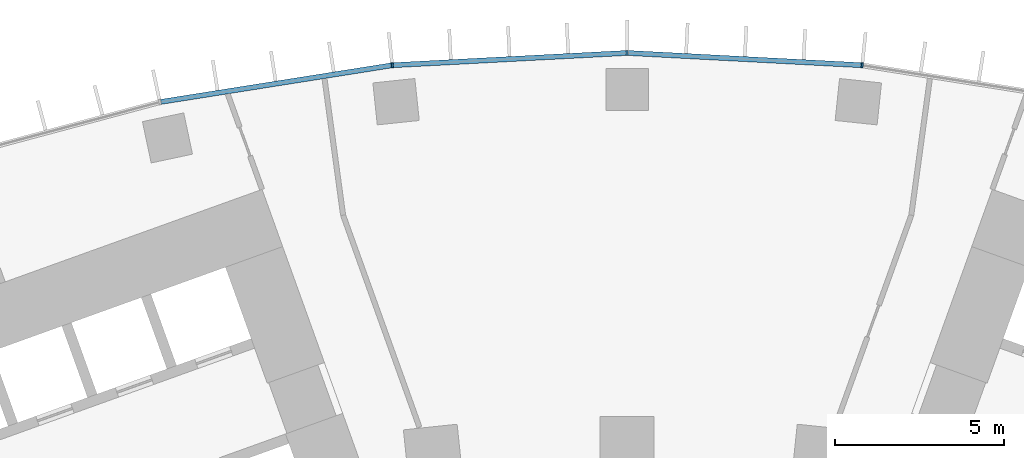
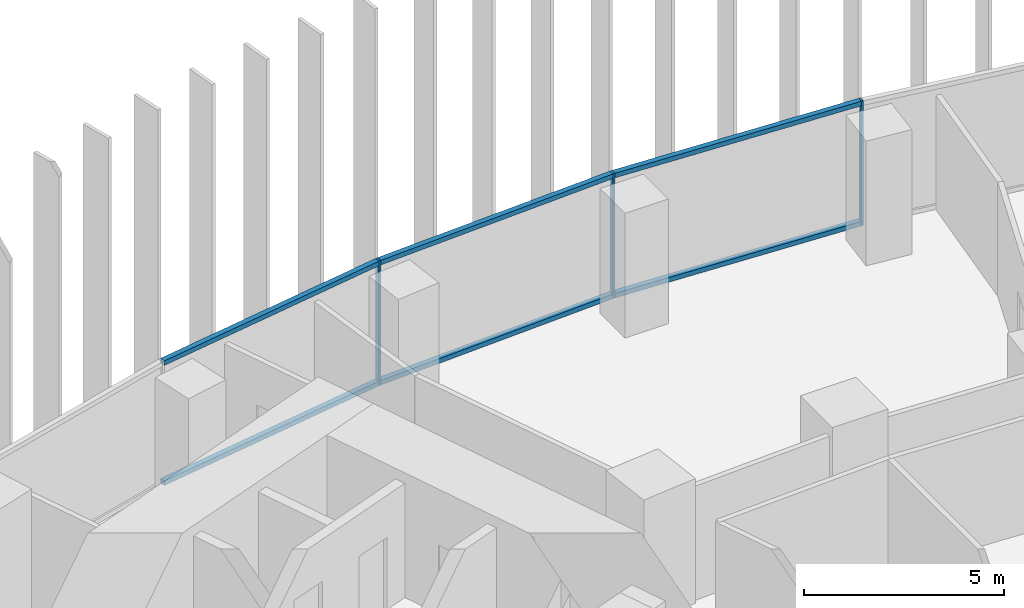
# One storey, part 8 of 24: 9 members, 1 element without a shape of its own.
"""IFC4 building model written with IfcOpenShell, lengths in metres."""

from ifc_helpers import new_model, si_unit, direction, frame, origin, origin_2d, place, context, subcontext, project, spatial, rectangle, extrude, material, layer, layer_set, material_profile, profile_set, type_object, element, aggregate, save


model = new_model("IFC4")

# Units and contexts
model_context = context("Model", 3, precision=1e-05, world=origin(), true_north=direction((0.0, 1.0)))
body_context = subcontext(model_context, "Body", "Model", "MODEL_VIEW")
ifc_project = project(units=[si_unit("LENGTHUNIT", "METRE"), si_unit("AREAUNIT", "SQUARE_METRE"), si_unit("VOLUMEUNIT", "CUBIC_METRE"), si_unit("PLANEANGLEUNIT", "RADIAN"), si_unit("MASSUNIT", "GRAM", prefix="KILO")], contexts=[model_context])

# Site, building, storey
site_placement = place(None, origin())
site = spatial("IfcSite", under=ifc_project, at=site_placement, CompositionType="ELEMENT")
building_placement = place(site_placement, origin())
building = spatial("IfcBuilding", under=site, at=building_placement, Name="Stone Belt Terrace Tower", CompositionType="ELEMENT")
storey_placement = place(building_placement, frame((0.0, 0.0, 41.39990234375)))
storey = spatial("IfcBuildingStorey", under=building, at=storey_placement, Name="L09", CompositionType="ELEMENT", Elevation=41.39990234375)

# Curtain wall, members
ifc_material = material(Name="Aluminium 6063-T6 anodised frame", Category="aluminium")
ifc_layer = layer(ifc_material, 0.14990234375)
ifc_layer_set = layer_set([ifc_layer], Name="CW-A unitised convex-face curtain wall")
curtain_wall_type = type_object("IfcCurtainWallType", Name="CW-A unitised convex-face curtain wall", PredefinedType="NOTDEFINED", material=ifc_layer_set)
curtain_wall_placement = place(storey_placement, origin())
curtain_wall = element("IfcCurtainWall", 1, at=curtain_wall_placement, inside=storey, type_object=curtain_wall_type, Name="CW-A convex face L09", PredefinedType="NOTDEFINED")
ifc_material_profile_1 = material_profile(ifc_material, rectangle(XDim=0.14990234375, YDim=0.06005859375, at=origin_2d()), Name="Aluminium 6063-T6 60x150")
ifc_profile_set_1 = profile_set([ifc_material_profile_1], Name="Aluminium 6063-T6 anodised frame")
member_type_1 = type_object("IfcMemberType", Name="CW-A mullion 60 x 150", PredefinedType="MULLION", material=ifc_profile_set_1)
member_1_placement = place(storey_placement, frame((6.958984375, 66.21044921875, 0.0), z_axis=(0.0, 0.0, 1.0), x_axis=(-0.104528463268, -0.994521895368, 0.0)))
member_1 = element("IfcMember", 2, at=member_1_placement, type_object=member_type_1, Name="CW-A mullion 9", PredefinedType="MULLION", context=body_context, shape_type="SweptSolid", body=[
    extrude(rectangle(XDim=0.14990234375, YDim=0.06005859375, at=origin_2d()), origin(), (0.0, 0.0, 1.0), 3.800048828125),
])
member_2_placement = place(storey_placement, frame((0.0, 66.5751953125, 0.0), z_axis=(0.0, 0.0, 1.0), x_axis=(0.0, -1.0, 0.0)))
member_2 = element("IfcMember", 3, at=member_2_placement, type_object=member_type_1, Name="CW-A mullion 10", PredefinedType="MULLION", context=body_context, shape_type="SweptSolid", body=[
    extrude(rectangle(XDim=0.14990234375, YDim=0.06005859375, at=origin_2d()), origin(), (0.0, 0.0, 1.0), 3.800048828125),
])
member_3_placement = place(storey_placement, frame((-6.958984375, 66.21044921875, 0.0), z_axis=(0.0, 0.0, 1.0), x_axis=(0.104528463268, -0.994521895368, 0.0)))
member_3 = element("IfcMember", 4, at=member_3_placement, type_object=member_type_1, Name="CW-A mullion 11", PredefinedType="MULLION", context=body_context, shape_type="SweptSolid", body=[
    extrude(rectangle(XDim=0.14990234375, YDim=0.06005859375, at=origin_2d()), origin(), (0.0, 0.0, 1.0), 3.800048828125),
])
ifc_material_profile_2 = material_profile(ifc_material, rectangle(XDim=0.14990234375, YDim=0.139892578125, at=origin_2d()), Name="Aluminium 6063-T6 150x140")
ifc_profile_set_2 = profile_set([ifc_material_profile_2], Name="Aluminium 6063-T6 anodised frame")
member_type_2 = type_object("IfcMemberType", Name="CW-A transom 140 x 150", PredefinedType="USERDEFINED", material=ifc_profile_set_2)
member_4_placement = place(storey_placement, frame((6.925048828125, 66.212158203125, 0.070068359375), z_axis=(-0.998630019135, 0.052326712899, 0.0), x_axis=(-0.052326712899, -0.998630019135, 0.0)))
member_4 = element("IfcMember", 5, at=member_4_placement, type_object=member_type_2, Name="CW-A transom 9.1", ObjectType="TRANSOM", PredefinedType="USERDEFINED", context=body_context, shape_type="SweptSolid", body=[
    extrude(rectangle(XDim=0.14990234375, YDim=0.139892578125, at=origin_2d()), origin(), (0.0, 0.0, 1.0), 6.900634765625),
])
member_5_placement = place(storey_placement, frame((6.925048828125, 66.212158203125, 3.72998046875), z_axis=(-0.998630019135, 0.052326712899, 0.0), x_axis=(-0.052326712899, -0.998630019135, 0.0)))
member_5 = element("IfcMember", 6, at=member_5_placement, type_object=member_type_2, Name="CW-A transom 9.2", ObjectType="TRANSOM", PredefinedType="USERDEFINED", context=body_context, shape_type="SweptSolid", body=[
    extrude(rectangle(XDim=0.14990234375, YDim=0.139892578125, at=origin_2d()), origin(), (0.0, 0.0, 1.0), 6.900634765625),
])
member_6_placement = place(storey_placement, frame((-0.033935546875, 66.5732421875, 0.070068359375), z_axis=(-0.998630019135, -0.052326712899, 0.0), x_axis=(0.052326712899, -0.998630019135, 0.0)))
member_6 = element("IfcMember", 7, at=member_6_placement, type_object=member_type_2, Name="CW-A transom 10.1", ObjectType="TRANSOM", PredefinedType="USERDEFINED", context=body_context, shape_type="SweptSolid", body=[
    extrude(rectangle(XDim=0.14990234375, YDim=0.139892578125, at=origin_2d()), origin(), (0.0, 0.0, 1.0), 6.900634765625),
])
member_7_placement = place(storey_placement, frame((-0.033935546875, 66.5732421875, 3.72998046875), z_axis=(-0.998630019135, -0.052326712899, 0.0), x_axis=(0.052326712899, -0.998630019135, 0.0)))
member_7 = element("IfcMember", 8, at=member_7_placement, type_object=member_type_2, Name="CW-A transom 10.2", ObjectType="TRANSOM", PredefinedType="USERDEFINED", context=body_context, shape_type="SweptSolid", body=[
    extrude(rectangle(XDim=0.14990234375, YDim=0.139892578125, at=origin_2d()), origin(), (0.0, 0.0, 1.0), 6.900634765625),
])
member_8_placement = place(storey_placement, frame((-6.992431640625, 66.205078125, 0.070068359375), z_axis=(-0.987687120531, -0.156442168027, 0.0), x_axis=(0.156442168027, -0.987687120531, 0.0)))
member_8 = element("IfcMember", 9, at=member_8_placement, type_object=member_type_2, Name="CW-A transom 11.1", ObjectType="TRANSOM", PredefinedType="USERDEFINED", context=body_context, shape_type="SweptSolid", body=[
    extrude(rectangle(XDim=0.14990234375, YDim=0.139892578125, at=origin_2d()), origin(), (0.0, 0.0, 1.0), 6.90087890625),
])
member_9_placement = place(storey_placement, frame((-6.992431640625, 66.205078125, 3.72998046875), z_axis=(-0.987687120531, -0.156442168027, 0.0), x_axis=(0.156442168027, -0.987687120531, 0.0)))
member_9 = element("IfcMember", 10, at=member_9_placement, type_object=member_type_2, Name="CW-A transom 11.2", ObjectType="TRANSOM", PredefinedType="USERDEFINED", context=body_context, shape_type="SweptSolid", body=[
    extrude(rectangle(XDim=0.14990234375, YDim=0.139892578125, at=origin_2d()), origin(), (0.0, 0.0, 1.0), 6.90087890625),
])
aggregate(curtain_wall, [member_1, member_2, member_3, member_4, member_5, member_6, member_7, member_8, member_9])

save(model, "model.ifc")
